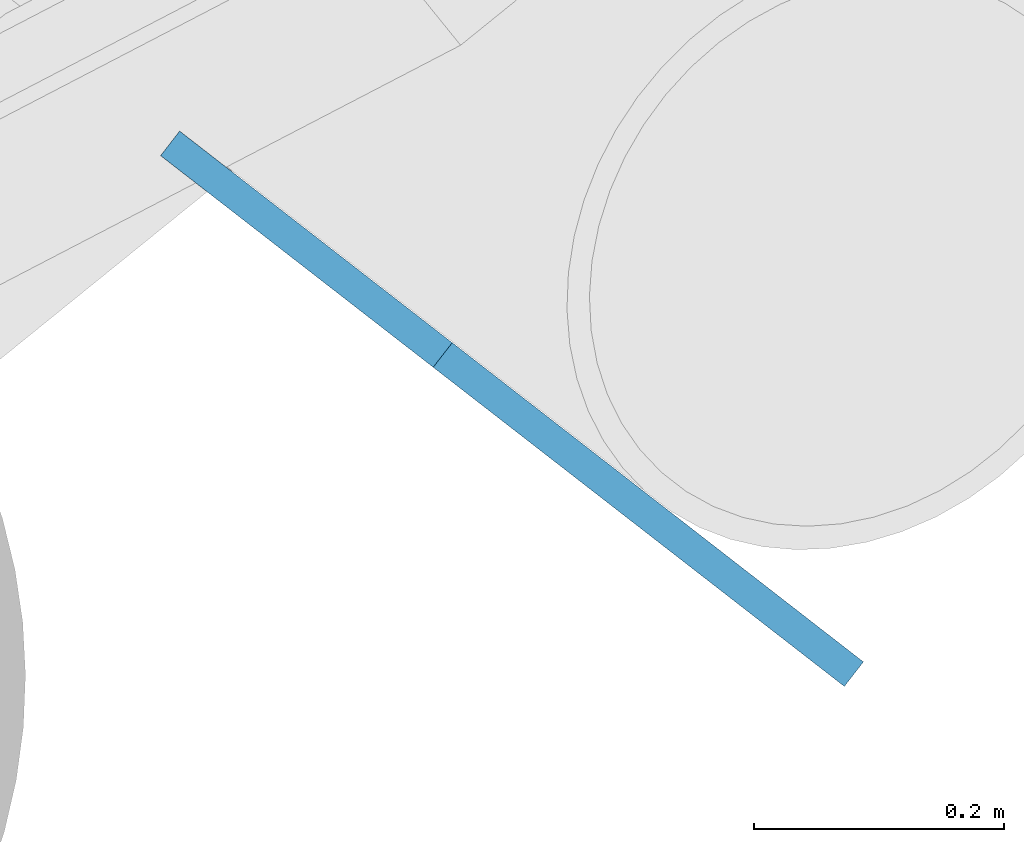
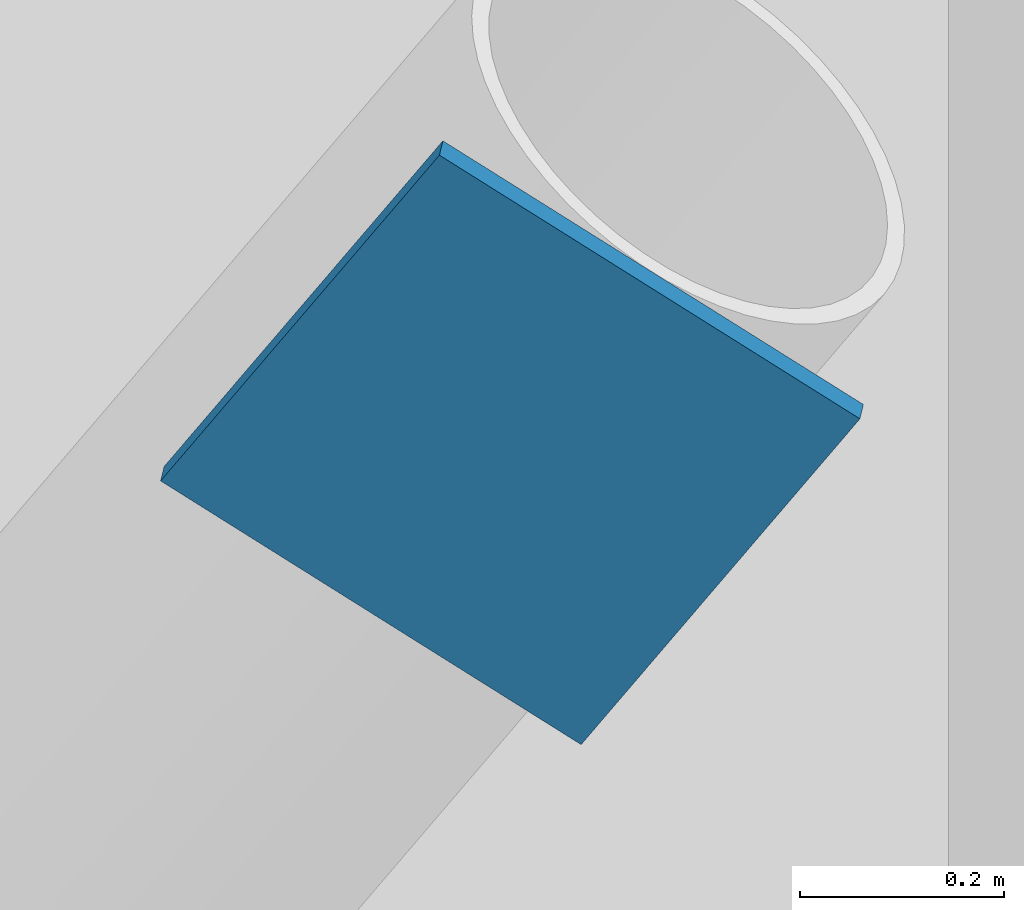
# One storey, part 25 of 36: 1 discrete accessory.
"""IFC4 building model written with IfcOpenShell, lengths in metres."""

from ifc_helpers import new_model, si_unit, direction, frame, origin, origin_2d, place, context, subcontext, project, spatial, rectangle, extrude, material, material_profile, profile_set, type_object, element, save


model = new_model("IFC4")

# Units and contexts
model_context = context("Model", 3, precision=1e-05, world=origin(), true_north=direction((0.0, 1.0)))
body_context = subcontext(model_context, "Body", "Model", "MODEL_VIEW")
ifc_project = project(units=[si_unit("LENGTHUNIT", "METRE"), si_unit("AREAUNIT", "SQUARE_METRE"), si_unit("VOLUMEUNIT", "CUBIC_METRE"), si_unit("PLANEANGLEUNIT", "RADIAN"), si_unit("MASSUNIT", "GRAM", prefix="KILO")], contexts=[model_context])

# Site, building, storey
site_placement = place(None, origin())
site = spatial("IfcSite", under=ifc_project, at=site_placement, CompositionType="ELEMENT")
building_placement = place(site_placement, origin())
building = spatial("IfcBuilding", under=site, at=building_placement, Name="Tarsis Ring Headquarters", CompositionType="ELEMENT")
storey_placement = place(building_placement, frame((0.0, 0.0, 386.0)))
storey = spatial("IfcBuildingStorey", under=building, at=storey_placement, Name="L91", CompositionType="ELEMENT", Elevation=386.0)

# Discrete accessory
ifc_material = material(Name="Structural steel S355", Category="steel")
ifc_material_profile = material_profile(ifc_material, rectangle(XDim=0.02490234375, YDim=0.5, at=origin_2d()), Name="PL 25x500")
ifc_profile_set = profile_set([ifc_material_profile], Name="Structural steel S355")
discrete_accessory_type = type_object("IfcDiscreteAccessoryType", Name="Gusset plate Exo brace 25", PredefinedType="BRACKET", material=ifc_profile_set)
discrete_accessory_placement = place(storey_placement, frame((11.52294921875, -36.176025390625, 8.39990234375), z_axis=(-0.436501739418, 0.338850343575, -0.83345466352), x_axis=(-0.613206294847, -0.78992280633, 0.0)))
element("IfcDiscreteAccessory", 1, at=discrete_accessory_placement, inside=storey, type_object=discrete_accessory_type, Name="Gusset plate GP5", PredefinedType="BRACKET", context=body_context, shape_type="SweptSolid", body=[
    extrude(rectangle(XDim=0.02490234375, YDim=0.5, at=origin_2d()), origin(), (0.0, 0.0, 1.0), 0.5),
])

save(model, "model.ifc")
